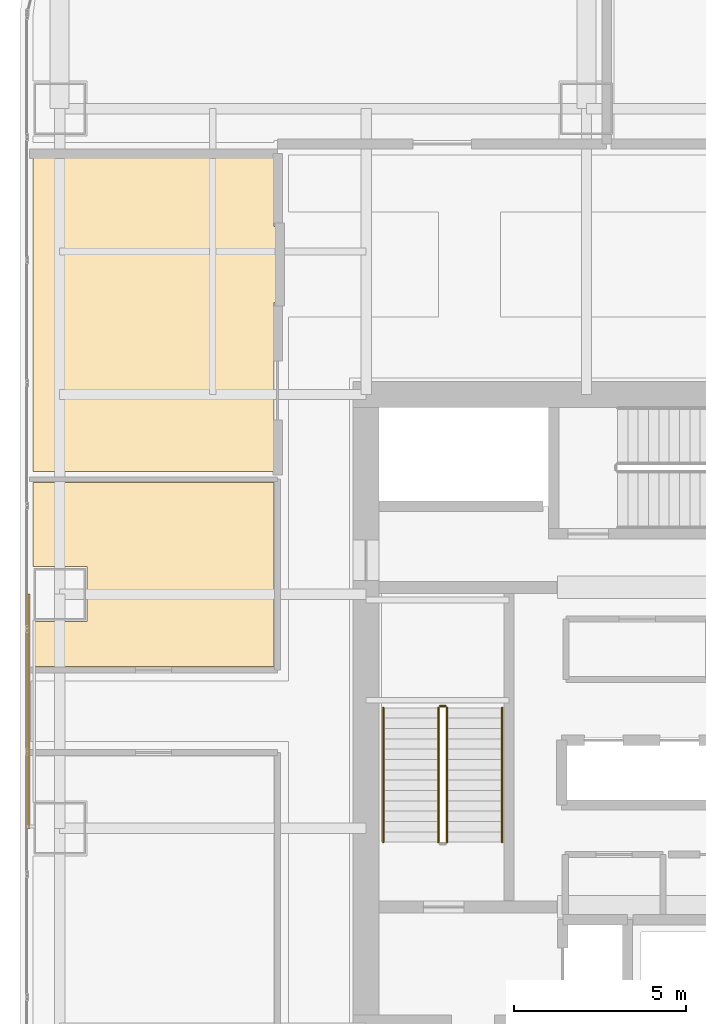
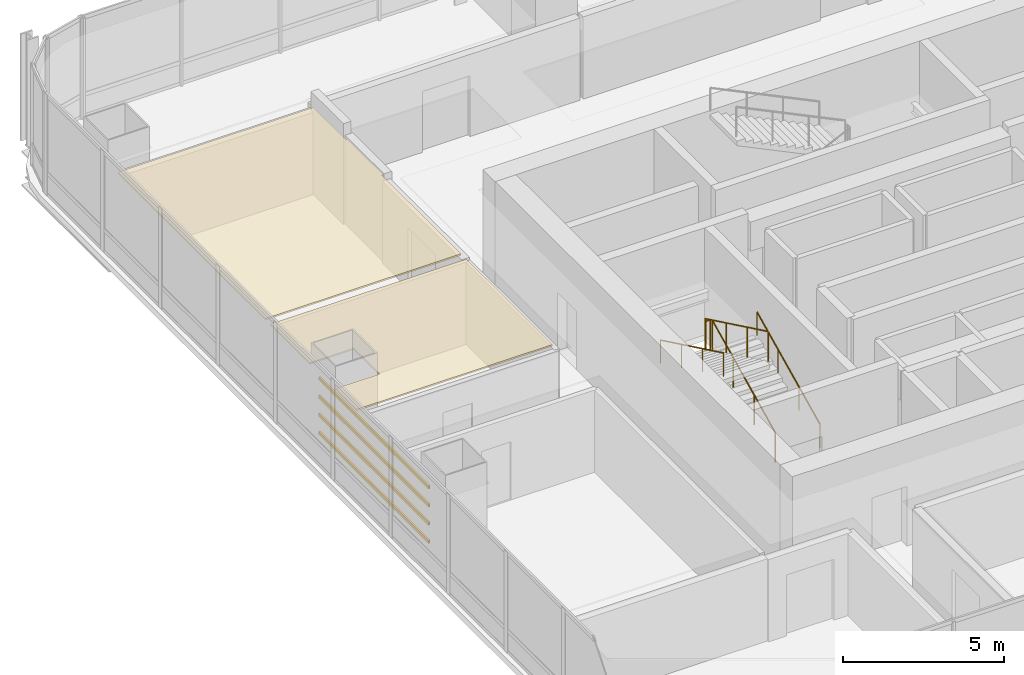
# One storey, part 31 of 34: 5 railings, 4 shading devices, 2 coverings.
"""IFC4 building model written with IfcOpenShell, lengths in metres."""

from ifc_helpers import new_model, si_unit, direction, frame, origin, origin_2d, place, context, subcontext, project, spatial, polyline, hollow_rectangle, circle, outline, extrude, material, layer, layer_set, material_profile, profile_set, type_object, element, save


model = new_model("IFC4")

# Units and contexts
model_context = context("Model", 3, precision=1e-05, world=origin(), true_north=direction((0.0, 1.0)))
body_context = subcontext(model_context, "Body", "Model", "MODEL_VIEW")
ifc_project = project(units=[si_unit("LENGTHUNIT", "METRE"), si_unit("AREAUNIT", "SQUARE_METRE"), si_unit("VOLUMEUNIT", "CUBIC_METRE"), si_unit("PLANEANGLEUNIT", "RADIAN"), si_unit("MASSUNIT", "GRAM", prefix="KILO")], contexts=[model_context])

# Site, building, storey
site_placement = place(None, origin())
site = spatial("IfcSite", under=ifc_project, at=site_placement, CompositionType="ELEMENT")
building_placement = place(site_placement, origin())
building = spatial("IfcBuilding", under=site, at=building_placement, Name="Punatoya Terracotta Tower", CompositionType="ELEMENT")
storey_placement = place(building_placement, frame((0.0, 0.0, 97.050048828125)))
storey = spatial("IfcBuildingStorey", under=building, at=storey_placement, Name="L22", CompositionType="ELEMENT", Elevation=97.050048828125)

# Coverings
ifc_material_1 = material(Name="Acoustic Mineral Fibre Ceiling")
ifc_layer = layer(ifc_material_1, 0.06005859375)
ifc_layer_set = layer_set([ifc_layer], Name="Acoustic Mineral Fibre Ceiling")
covering_type = type_object("IfcCoveringType", Name="COV-CEIL-60", PredefinedType="CEILING", material=ifc_layer_set)
covering_1_placement = place(storey_placement, frame((0.0, 0.0, 3.199951171875)))
element("IfcCovering", 1, at=covering_1_placement, inside=storey, type_object=covering_type, Name="L22 Open-Plan Wellness Relaxation Lounge Acoustic Ceiling", PredefinedType="CEILING", context=body_context, shape_type="SweptSolid", body=[
    extrude(outline(polyline([(-12.8701171875, 1.300048828125), (-12.8701171875, 6.637939453125), (-19.8701171875, 6.637939453125), (-19.8701171875, 4.199951171875), (-18.300048828125, 4.199951171875), (-18.300048828125, 2.60009765625), (-19.8701171875, 2.60009765625), (-19.8701171875, 1.300048828125), (-12.8701171875, 1.300048828125)])), origin(), (0.0, 0.0, 1.0), 0.06005859375),
])
covering_2_placement = place(storey_placement, frame((0.0, 0.0, 3.199951171875)))
element("IfcCovering", 2, at=covering_2_placement, inside=storey, type_object=covering_type, Name="L22 Waterfront Club Lounge Acoustic Ceiling", PredefinedType="CEILING", context=body_context, shape_type="SweptSolid", body=[
    extrude(outline(polyline([(-12.8701171875, 6.9580078125), (-12.8701171875, 11.8701171875), (-12.81005859375, 11.8701171875), (-12.81005859375, 14.080078125), (-12.8701171875, 14.080078125), (-12.8701171875, 16.090087890625), (-19.8701171875, 16.090087890625), (-19.8701171875, 6.9580078125), (-12.8701171875, 6.9580078125)])), origin(), (0.0, 0.0, 1.0), 0.06005859375),
])

# Railings
ifc_material_2 = material(Name="Steel S355", Category="steel")
railing_type_1 = type_object("IfcRailingType", Name="RLG-GRD-1150", PredefinedType="GUARDRAIL", material=ifc_material_2)
railing_1_placement = place(storey_placement, frame((-7.85009765625, -3.800048828125, 0.14453125)))
element("IfcRailing", 3, at=railing_1_placement, inside=storey, type_object=railing_type_1, Name="L22 ST-1 stair guard 1", PredefinedType="GUARDRAIL", context=body_context, shape_type="SweptSolid", body=[
    extrude(circle(Radius=0.02392578125, at=origin_2d()), frame((0.0, 0.0, 1.1259765625), z_axis=(0.0, 0.900773802044, 0.434288564841), x_axis=(-1.0, 0.0, 0.0)), (0.0, 0.0, 1.0), 4.329833984375),
    extrude(circle(Radius=0.02099609375, at=origin_2d()), origin(), (0.0, 0.0, 1.0), 1.101806640625),
    extrude(circle(Radius=0.02099609375, at=origin_2d()), frame((0.0, 1.300048828125, 0.626708984375)), (0.0, 0.0, 1.0), 1.101806640625),
    extrude(circle(Radius=0.02099609375, at=origin_2d()), frame((0.0, 2.60009765625, 1.253662109375)), (0.0, 0.0, 1.0), 1.101806640625),
    extrude(circle(Radius=0.02099609375, at=origin_2d()), frame((0.0, 3.900146484375, 1.88037109375)), (0.0, 0.0, 1.0), 1.101806640625),
])
railing_2_placement = place(storey_placement, frame((-7.89990234375, 0.14990234375, 2.02490234375)))
element("IfcRailing", 4, at=railing_2_placement, inside=storey, type_object=railing_type_1, Name="L22 ST-1 stair guard 2", PredefinedType="GUARDRAIL", context=body_context, shape_type="SweptSolid", body=[
    extrude(circle(Radius=0.02392578125, at=origin_2d()), frame((0.0, 0.0, 1.1259765625), z_axis=(-1.0, 0.0, 0.0), x_axis=(0.0, -1.0, 0.0)), (0.0, 0.0, 1.0), 0.150146484375),
    extrude(circle(Radius=0.02099609375, at=origin_2d()), origin(), (0.0, 0.0, 1.0), 1.101806640625),
    extrude(circle(Radius=0.02099609375, at=origin_2d()), frame((-0.150146484375, 0.0, 0.0)), (0.0, 0.0, 1.0), 1.101806640625),
])
railing_3_placement = place(storey_placement, frame((-8.10009765625, 0.10009765625, 2.169677734375)))
element("IfcRailing", 5, at=railing_3_placement, inside=storey, type_object=railing_type_1, Name="L22 ST-1 stair guard 3", PredefinedType="GUARDRAIL", context=body_context, shape_type="SweptSolid", body=[
    extrude(circle(Radius=0.02392578125, at=origin_2d()), frame((0.0, 0.0, 1.1259765625), z_axis=(0.0, -0.900773802044, 0.434288564841), x_axis=(1.0, 0.0, 0.0)), (0.0, 0.0, 1.0), 4.329833984375),
    extrude(circle(Radius=0.02099609375, at=origin_2d()), origin(), (0.0, 0.0, 1.0), 1.101806640625),
    extrude(circle(Radius=0.02099609375, at=origin_2d()), frame((0.0, -1.300048828125, 0.626708984375)), (0.0, 0.0, 1.0), 1.101806640625),
    extrude(circle(Radius=0.02099609375, at=origin_2d()), frame((0.0, -2.60009765625, 1.253662109375)), (0.0, 0.0, 1.0), 1.101806640625),
    extrude(circle(Radius=0.02099609375, at=origin_2d()), frame((0.0, -3.900146484375, 1.88037109375)), (0.0, 0.0, 1.0), 1.101806640625),
])
railing_type_2 = type_object("IfcRailingType", Name="RLG-HND-900", PredefinedType="HANDRAIL", material=ifc_material_2)
railing_4_placement = place(storey_placement, frame((-6.25, -3.800048828125, 0.14453125)))
element("IfcRailing", 6, at=railing_4_placement, inside=storey, type_object=railing_type_2, Name="L22 ST-1 stair handrail 1", PredefinedType="HANDRAIL", context=body_context, shape_type="SweptSolid", body=[
    extrude(circle(Radius=0.02392578125, at=origin_2d()), frame((0.0, 0.0, 0.8759765625), z_axis=(0.0, 0.900773802044, 0.434288564841), x_axis=(-1.0, 0.0, 0.0)), (0.0, 0.0, 1.0), 4.329833984375),
    extrude(circle(Radius=0.02099609375, at=origin_2d()), origin(), (0.0, 0.0, 1.0), 0.851806640625),
    extrude(circle(Radius=0.02099609375, at=origin_2d()), frame((0.0, 1.300048828125, 0.626708984375)), (0.0, 0.0, 1.0), 0.851806640625),
    extrude(circle(Radius=0.02099609375, at=origin_2d()), frame((0.0, 2.60009765625, 1.253662109375)), (0.0, 0.0, 1.0), 0.851806640625),
    extrude(circle(Radius=0.02099609375, at=origin_2d()), frame((0.0, 3.900146484375, 1.88037109375)), (0.0, 0.0, 1.0), 0.851806640625),
])
railing_5_placement = place(storey_placement, frame((-9.699951171875, 0.10009765625, 2.169677734375)))
element("IfcRailing", 7, at=railing_5_placement, inside=storey, type_object=railing_type_2, Name="L22 ST-1 stair handrail 2", PredefinedType="HANDRAIL", context=body_context, shape_type="SweptSolid", body=[
    extrude(circle(Radius=0.02392578125, at=origin_2d()), frame((0.0, 0.0, 0.8759765625), z_axis=(0.0, -0.900773802044, 0.434288564841), x_axis=(1.0, 0.0, 0.0)), (0.0, 0.0, 1.0), 4.329833984375),
    extrude(circle(Radius=0.02099609375, at=origin_2d()), origin(), (0.0, 0.0, 1.0), 0.851806640625),
    extrude(circle(Radius=0.02099609375, at=origin_2d()), frame((0.0, -1.300048828125, 0.626708984375)), (0.0, 0.0, 1.0), 0.851806640625),
    extrude(circle(Radius=0.02099609375, at=origin_2d()), frame((0.0, -2.60009765625, 1.253662109375)), (0.0, 0.0, 1.0), 0.851806640625),
    extrude(circle(Radius=0.02099609375, at=origin_2d()), frame((0.0, -3.900146484375, 1.88037109375)), (0.0, 0.0, 1.0), 0.851806640625),
])

# Shading devices
ifc_material_3 = material(Name="Architectural Fired Terracotta", Category="masonry")
ifc_material_profile = material_profile(ifc_material_3, hollow_rectangle(XDim=0.06494140625, YDim=0.1201171875, WallThickness=0.014892578125, at=origin_2d()))
ifc_profile_set = profile_set([ifc_material_profile], Name="Architectural Fired Terracotta")
shading_device_type = type_object("IfcShadingDeviceType", Name="SHD-BAG-120", PredefinedType="USERDEFINED", material=ifc_profile_set)
for number, where, z_axis, x_axis, name in (
    (8, (-19.989990234375, -3.39990234375, 1.14990234375), (0.0, 1.0, 0.0), (-1.0, 0.0, 0.0), "L22 Fired Terracotta Baguette Louvre BAG-L22-W-01"),
    (9, (-19.989990234375, -3.39990234375, 1.836669921875), (0.0, 1.0, 0.0), (-1.0, 0.0, 0.0), "L22 Fired Terracotta Baguette Louvre BAG-L22-W-02"),
    (10, (-19.989990234375, -3.39990234375, 2.523193359375), (0.0, 1.0, 0.0), (-1.0, 0.0, 0.0), "L22 Fired Terracotta Baguette Louvre BAG-L22-W-03"),
    (11, (-19.989990234375, -3.39990234375, 3.2099609375), (0.0, 1.0, 0.0), (-1.0, 0.0, 0.0), "L22 Fired Terracotta Baguette Louvre BAG-L22-W-04"),
):
    element("IfcShadingDevice", number, at=place(storey_placement, frame(where, z_axis=z_axis, x_axis=x_axis)), inside=storey, type_object=shading_device_type, Name=name, ObjectType="BAGUETTE", PredefinedType="USERDEFINED", context=body_context, shape_type="SweptSolid", body=[
        extrude(hollow_rectangle(XDim=0.06494140625, YDim=0.1201171875, WallThickness=0.014892578125, at=origin_2d()), origin(), (0.0, 0.0, 1.0), 6.7998046875),
    ])

save(model, "model.ifc")
